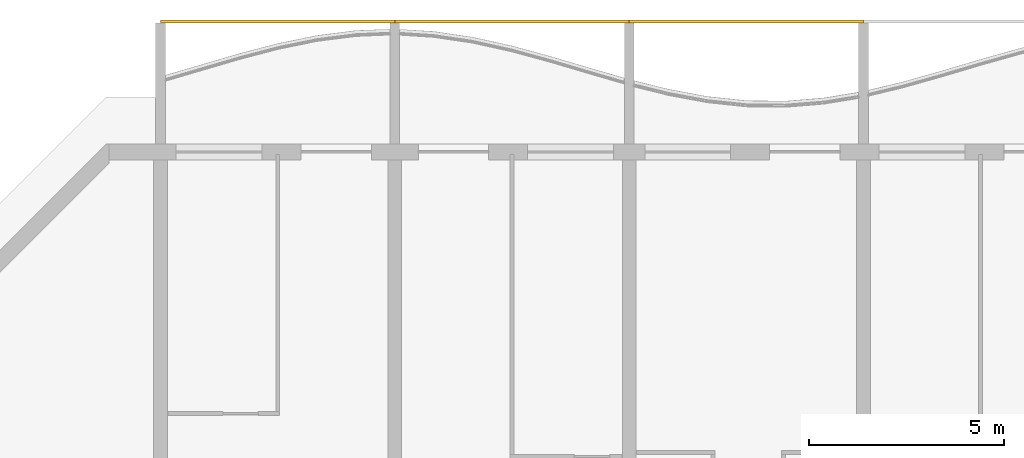
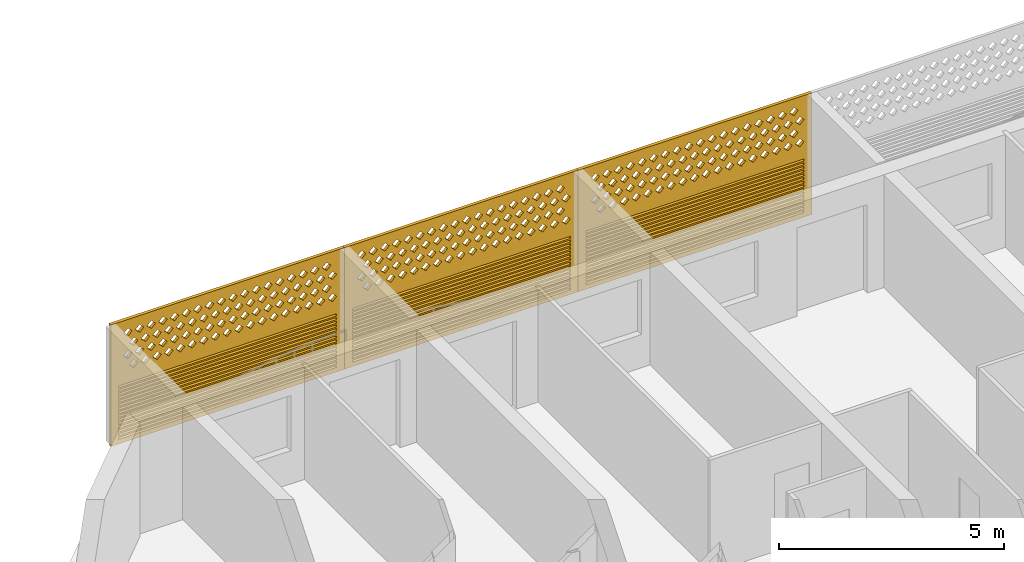
# One storey, part 20 of 28: 3 coverings.
"""IFC4 building model written with IfcOpenShell, lengths in metres."""

import ifcopenshell
import ifcopenshell.guid

model = None  # the IFC model being written
_history = None  # IfcOwnerHistory: only IFC2X3 demands one
_inside = {}  # id of a spatial element -> (the spatial element, [elements in it])
_under = {}  # id of a project, library or spatial element -> (it, [spatial elements below it])
_declared = {}  # id of a project -> (the project, [libraries it declares])
_typed = {}  # id of a type object -> (the type object, [elements of that type])
_made_of = {}  # id of a material, layer set ... -> (it, [elements and type objects made of it])


def new_model(schema):
    """Start an empty IFC model of exactly this schema.

    Asked for "IFC4X3", IfcOpenShell would pick the latest addendum, in which some entities
    have other attributes; the version numbers below select the first issue.
    IFC2X3 requires an IfcOwnerHistory on every rooted entity: one is made here for all.
    """
    global model, _history
    if schema == "IFC4X3":
        model = ifcopenshell.file(schema_version=(4, 3, 0, 0))
    else:
        model = ifcopenshell.file(schema=schema)
    _inside.clear()
    _under.clear()
    _declared.clear()
    _typed.clear()
    _made_of.clear()
    _history = None
    if model.schema == "IFC2X3":
        org = make("IfcOrganization", Name="unknown")
        user = make(
            "IfcPersonAndOrganization",
            ThePerson=make("IfcPerson", FamilyName="unknown"),
            TheOrganization=org,
        )
        app = make(
            "IfcApplication",
            ApplicationDeveloper=org,
            Version="unknown",
            ApplicationFullName="unknown",
            ApplicationIdentifier="unknown",
        )
        _history = make(
            "IfcOwnerHistory",
            OwningUser=user,
            OwningApplication=app,
            ChangeAction="ADDED",
            CreationDate=0,
        )
    return model


def make(cls, **values):
    """One entity of the class cls with the attributes given. An attribute that is None is left unset."""
    return model.create_entity(
        cls, **{name: value for name, value in values.items() if value is not None}
    )


def rooted(cls, **values):
    """An entity with a GlobalId (a new one), such as an element, a storey or a relation."""
    return make(cls, GlobalId=ifcopenshell.guid.new(), OwnerHistory=_history, **values)


def si_unit(unit_type, name, prefix=None):
    """IfcSIUnit, for example si_unit("LENGTHUNIT", "METRE", prefix="MILLI")."""
    return make("IfcSIUnit", UnitType=unit_type, Prefix=prefix, Name=name)


def assignment(units):
    """IfcUnitAssignment: the units of a project."""
    return None if units is None else make("IfcUnitAssignment", Units=units)


def point(xyz):
    """IfcCartesianPoint."""
    return None if xyz is None else make("IfcCartesianPoint", Coordinates=xyz)


def direction(xyz):
    """IfcDirection."""
    return None if xyz is None else make("IfcDirection", DirectionRatios=xyz)


def frame(location, z_axis=None, x_axis=None):
    """IfcAxis2Placement3D, a coordinate frame: its origin and axes. An axis left out is left unset."""
    return make(
        "IfcAxis2Placement3D",
        Location=point(location),
        Axis=direction(z_axis),
        RefDirection=direction(x_axis),
    )


def origin():
    """The frame at (0, 0, 0) with its axes left unset."""
    return frame((0.0, 0.0, 0.0))


def place(relative_to, where):
    """IfcLocalPlacement: puts the frame where relative to a parent placement (None: the world)."""
    return make(
        "IfcLocalPlacement", PlacementRelTo=relative_to, RelativePlacement=where
    )


def context(
    kind, dimensions, precision=None, world=None, true_north=None, identifier=None
):
    """IfcGeometricRepresentationContext, for example the 3D "Model" context."""
    return make(
        "IfcGeometricRepresentationContext",
        ContextIdentifier=identifier,
        ContextType=kind,
        CoordinateSpaceDimension=dimensions,
        Precision=precision,
        WorldCoordinateSystem=world,
        TrueNorth=true_north,
    )


def subcontext(parent, identifier, kind, view, scale=None):
    """IfcGeometricRepresentationSubContext, for example "Body" below "Model"."""
    return make(
        "IfcGeometricRepresentationSubContext",
        ContextIdentifier=identifier,
        ContextType=kind,
        ParentContext=parent,
        TargetScale=scale,
        TargetView=view,
    )


def project(units=None, contexts=None):
    """IfcProject with its units and contexts."""
    return rooted(
        "IfcProject",
        Name="project",
        RepresentationContexts=contexts,
        UnitsInContext=assignment(units),
    )


def spatial(cls, under=None, at=None, **own):
    """A site, building, storey or space (cls), placed at a placement, below another one or the project."""
    s = rooted(cls, ObjectPlacement=at, **own)
    if under is not None:
        _under.setdefault(under.id(), (under, []))[1].append(s)
    return s


def polyline(points):
    """IfcPolyline through the points."""
    return make("IfcPolyline", Points=[point(p) for p in points])


def outline(outer, holes=None, kind="AREA"):
    """IfcArbitraryClosedProfileDef: a profile drawn as a closed curve; with holes, ...WithVoids."""
    if holes is None:
        return make("IfcArbitraryClosedProfileDef", ProfileType=kind, OuterCurve=outer)
    return make(
        "IfcArbitraryProfileDefWithVoids",
        ProfileType=kind,
        OuterCurve=outer,
        InnerCurves=holes,
    )


def extrude(swept, where, along, depth):
    """IfcExtrudedAreaSolid: the profile swept, set in the frame where, extruded along a direction by depth."""
    return make(
        "IfcExtrudedAreaSolid",
        SweptArea=swept,
        Position=where,
        ExtrudedDirection=direction(along),
        Depth=depth,
    )


def shape(context_of_items, identifier, shape_type, items):
    """IfcShapeRepresentation: the items that make up one representation, for example the "Body"."""
    return make(
        "IfcShapeRepresentation",
        ContextOfItems=context_of_items,
        RepresentationIdentifier=identifier,
        RepresentationType=shape_type,
        Items=items,
    )


def source(mapping_origin, context_of_items, identifier, shape_type, items):
    """IfcRepresentationMap: a shape defined once, which mapped items show again and again."""
    return make(
        "IfcRepresentationMap",
        MappingOrigin=mapping_origin,
        MappedRepresentation=shape(context_of_items, identifier, shape_type, items),
    )


def transform(
    local_origin,
    x_axis=None,
    y_axis=None,
    z_axis=None,
    scale=None,
    scale2=None,
    scale3=None,
    uniform=True,
):
    """IfcCartesianTransformationOperator3D, or its non-uniform kind. x_axis, y_axis, z_axis: its Axis1, 2, 3."""
    if uniform:
        return make(
            "IfcCartesianTransformationOperator3D",
            Axis1=direction(x_axis),
            Axis2=direction(y_axis),
            LocalOrigin=point(local_origin),
            Scale=scale,
            Axis3=direction(z_axis),
        )
    return make(
        "IfcCartesianTransformationOperator3DnonUniform",
        Axis1=direction(x_axis),
        Axis2=direction(y_axis),
        LocalOrigin=point(local_origin),
        Scale=scale,
        Axis3=direction(z_axis),
        Scale2=scale2,
        Scale3=scale3,
    )


def mapped(mapping_source, mapping_target):
    """IfcMappedItem: shows the shape of a source again, moved by a transform."""
    return make(
        "IfcMappedItem", MappingSource=mapping_source, MappingTarget=mapping_target
    )


def material(Name=None, Category=None):
    """IfcMaterial."""
    return make("IfcMaterial", Name=Name, Category=Category)


def material_profile(
    of_material, cross_section, Name=None, Category=None, Priority=None
):
    """IfcMaterialProfile: a cross section and its material."""
    return make(
        "IfcMaterialProfile",
        Name=Name,
        Material=of_material,
        Profile=cross_section,
        Priority=Priority,
        Category=Category,
    )


def profile_set(profiles, Name=None, composite=None):
    """IfcMaterialProfileSet."""
    return make(
        "IfcMaterialProfileSet",
        Name=Name,
        MaterialProfiles=profiles,
        CompositeProfile=composite,
    )


def made_of(thing, what):
    """Note that an element or type object is made of a material, layer set ...; save() writes the relation."""
    if what is not None:
        _made_of.setdefault(what.id(), (what, []))[1].append(thing)
    return thing


def type_object(cls, material=None, **own):
    """A type object (cls), such as IfcWallType, which elements share."""
    return made_of(rooted(cls, **own), material)


def element(
    cls,
    number,
    at=None,
    inside=None,
    cuts=None,
    type_object=None,
    material=None,
    context=None,
    identifier="Body",
    shape_type=None,
    held_by="IfcProductDefinitionShape",
    body=None,
    shapes=None,
    **own,
):
    """One element of the class cls, such as IfcWall. Its Tag is "e" and its number.

    at: its placement. inside: the storey or other place that contains it. cuts: it is an
    opening in that element (IfcRelVoidsElement). A single representation is given by context,
    identifier, shape_type and body (its items); several are given by shapes. held_by: the class
    of the entity that holds the representations. save() writes the other relations.
    """
    e = rooted(cls, Tag="e%d" % number, ObjectPlacement=at, **own)
    if body is not None:
        shapes = [shape(context, identifier, shape_type, body)]
    if shapes is not None:
        e.Representation = make(held_by, Representations=shapes)
    if inside is not None:
        _inside.setdefault(inside.id(), (inside, []))[1].append(e)
    if cuts is not None:
        rooted(
            "IfcRelVoidsElement", RelatingBuildingElement=cuts, RelatedOpeningElement=e
        )
    if type_object is not None:
        _typed.setdefault(type_object.id(), (type_object, []))[1].append(e)
    return made_of(e, material)


def aggregate(whole, parts):
    """IfcRelAggregates: a whole, such as a stair, and the parts it consists of."""
    return rooted("IfcRelAggregates", RelatingObject=whole, RelatedObjects=parts)


def save(model, path):
    """Write the relations noted so far, then the file.

    IfcRelAggregates (storeys below a building ...), IfcRelContainedInSpatialStructure (elements
    in a storey), IfcRelDefinesByType, IfcRelAssociatesMaterial and IfcRelDeclares: one each for
    every whole, place, type object, material and project.
    """
    for whole, parts in _under.values():
        aggregate(whole, parts)
    for where, things in _inside.values():
        rooted(
            "IfcRelContainedInSpatialStructure",
            RelatedElements=things,
            RelatingStructure=where,
        )
    for kind, things in _typed.values():
        rooted("IfcRelDefinesByType", RelatedObjects=things, RelatingType=kind)
    for what, things in _made_of.values():
        rooted("IfcRelAssociatesMaterial", RelatedObjects=things, RelatingMaterial=what)
    for by, libraries in _declared.values():
        rooted("IfcRelDeclares", RelatingContext=by, RelatedDefinitions=libraries)
    model.write(path)


model = new_model("IFC4")

# Units and contexts
model_context = context("Model", 3, precision=1e-05, world=origin(), true_north=direction((0.0, 1.0)))
body_context = subcontext(model_context, "Body", "Model", "MODEL_VIEW")
ifc_project = project(units=[si_unit("LENGTHUNIT", "METRE"), si_unit("AREAUNIT", "SQUARE_METRE"), si_unit("VOLUMEUNIT", "CUBIC_METRE"), si_unit("PLANEANGLEUNIT", "RADIAN"), si_unit("MASSUNIT", "GRAM", prefix="KILO")], contexts=[model_context])

# Site, building, storey
site_placement = place(None, origin())
site = spatial("IfcSite", under=ifc_project, at=site_placement, CompositionType="ELEMENT")
building_placement = place(site_placement, origin())
building = spatial("IfcBuilding", under=site, at=building_placement, Name="Poui Terraces", CompositionType="ELEMENT")
storey_placement = place(building_placement, frame((0.0, 0.0, 72.89990234375)))
storey = spatial("IfcBuildingStorey", under=building, at=storey_placement, Name="L19", CompositionType="ELEMENT", Elevation=72.89990234375)

# Coverings
ifc_material = material(Name="Terracotta screen", Category="masonry")
ifc_material_profile = material_profile(ifc_material, outline(polyline([(-3.0, -1.64990234375), (3.0, -1.64990234375), (3.0, 1.64990234375), (-3.0, 1.64990234375), (-3.0, -1.64990234375)]), holes=[polyline([(-2.800048828125, 0.39990234375), (-2.68994140625, 0.2900390625), (-2.580078125, 0.39990234375), (-2.68994140625, 0.510009765625), (-2.800048828125, 0.39990234375)]), polyline([(-2.5, 0.39990234375), (-2.389892578125, 0.2900390625), (-2.280029296875, 0.39990234375), (-2.389892578125, 0.510009765625), (-2.5, 0.39990234375)]), polyline([(-2.199951171875, 0.39990234375), (-2.090087890625, 0.2900390625), (-1.97998046875, 0.39990234375), (-2.090087890625, 0.510009765625), (-2.199951171875, 0.39990234375)]), polyline([(-1.89990234375, 0.39990234375), (-1.7900390625, 0.2900390625), (-1.679931640625, 0.39990234375), (-1.7900390625, 0.510009765625), (-1.89990234375, 0.39990234375)]), polyline([(-1.60009765625, 0.39990234375), (-1.489990234375, 0.2900390625), (-1.3798828125, 0.39990234375), (-1.489990234375, 0.510009765625), (-1.60009765625, 0.39990234375)]), polyline([(-1.300048828125, 0.39990234375), (-1.18994140625, 0.2900390625), (-1.080078125, 0.39990234375), (-1.18994140625, 0.510009765625), (-1.300048828125, 0.39990234375)]), polyline([(-1.0, 0.39990234375), (-0.889892578125, 0.2900390625), (-0.780029296875, 0.39990234375), (-0.889892578125, 0.510009765625), (-1.0, 0.39990234375)]), polyline([(-0.699951171875, 0.39990234375), (-0.590087890625, 0.2900390625), (-0.47998046875, 0.39990234375), (-0.590087890625, 0.510009765625), (-0.699951171875, 0.39990234375)]), polyline([(-0.39990234375, 0.39990234375), (-0.2900390625, 0.2900390625), (-0.179931640625, 0.39990234375), (-0.2900390625, 0.510009765625), (-0.39990234375, 0.39990234375)]), polyline([(-0.10009765625, 0.39990234375), (0.010009765625, 0.2900390625), (0.1201171875, 0.39990234375), (0.010009765625, 0.510009765625), (-0.10009765625, 0.39990234375)]), polyline([(0.199951171875, 0.39990234375), (0.31005859375, 0.2900390625), (0.419921875, 0.39990234375), (0.31005859375, 0.510009765625), (0.199951171875, 0.39990234375)]), polyline([(0.5, 0.39990234375), (0.610107421875, 0.2900390625), (0.719970703125, 0.39990234375), (0.610107421875, 0.510009765625), (0.5, 0.39990234375)]), polyline([(0.800048828125, 0.39990234375), (0.909912109375, 0.2900390625), (1.02001953125, 0.39990234375), (0.909912109375, 0.510009765625), (0.800048828125, 0.39990234375)]), polyline([(1.10009765625, 0.39990234375), (1.2099609375, 0.2900390625), (1.320068359375, 0.39990234375), (1.2099609375, 0.510009765625), (1.10009765625, 0.39990234375)]), polyline([(1.39990234375, 0.39990234375), (1.510009765625, 0.2900390625), (1.6201171875, 0.39990234375), (1.510009765625, 0.510009765625), (1.39990234375, 0.39990234375)]), polyline([(1.699951171875, 0.39990234375), (1.81005859375, 0.2900390625), (1.919921875, 0.39990234375), (1.81005859375, 0.510009765625), (1.699951171875, 0.39990234375)]), polyline([(2.0, 0.39990234375), (2.110107421875, 0.2900390625), (2.219970703125, 0.39990234375), (2.110107421875, 0.510009765625), (2.0, 0.39990234375)]), polyline([(2.300048828125, 0.39990234375), (2.409912109375, 0.2900390625), (2.52001953125, 0.39990234375), (2.409912109375, 0.510009765625), (2.300048828125, 0.39990234375)]), polyline([(-2.64990234375, 0.699951171875), (-2.5400390625, 0.590087890625), (-2.429931640625, 0.699951171875), (-2.5400390625, 0.81005859375), (-2.64990234375, 0.699951171875)]), polyline([(-2.35009765625, 0.699951171875), (-2.239990234375, 0.590087890625), (-2.1298828125, 0.699951171875), (-2.239990234375, 0.81005859375), (-2.35009765625, 0.699951171875)]), polyline([(-2.050048828125, 0.699951171875), (-1.93994140625, 0.590087890625), (-1.830078125, 0.699951171875), (-1.93994140625, 0.81005859375), (-2.050048828125, 0.699951171875)]), polyline([(-1.75, 0.699951171875), (-1.639892578125, 0.590087890625), (-1.530029296875, 0.699951171875), (-1.639892578125, 0.81005859375), (-1.75, 0.699951171875)]), polyline([(-1.449951171875, 0.699951171875), (-1.340087890625, 0.590087890625), (-1.22998046875, 0.699951171875), (-1.340087890625, 0.81005859375), (-1.449951171875, 0.699951171875)]), polyline([(-1.14990234375, 0.699951171875), (-1.0400390625, 0.590087890625), (-0.929931640625, 0.699951171875), (-1.0400390625, 0.81005859375), (-1.14990234375, 0.699951171875)]), polyline([(-0.85009765625, 0.699951171875), (-0.739990234375, 0.590087890625), (-0.6298828125, 0.699951171875), (-0.739990234375, 0.81005859375), (-0.85009765625, 0.699951171875)]), polyline([(-0.550048828125, 0.699951171875), (-0.43994140625, 0.590087890625), (-0.330078125, 0.699951171875), (-0.43994140625, 0.81005859375), (-0.550048828125, 0.699951171875)]), polyline([(-0.25, 0.699951171875), (-0.139892578125, 0.590087890625), (-0.030029296875, 0.699951171875), (-0.139892578125, 0.81005859375), (-0.25, 0.699951171875)]), polyline([(0.050048828125, 0.699951171875), (0.159912109375, 0.590087890625), (0.27001953125, 0.699951171875), (0.159912109375, 0.81005859375), (0.050048828125, 0.699951171875)]), polyline([(0.35009765625, 0.699951171875), (0.4599609375, 0.590087890625), (0.570068359375, 0.699951171875), (0.4599609375, 0.81005859375), (0.35009765625, 0.699951171875)]), polyline([(0.64990234375, 0.699951171875), (0.760009765625, 0.590087890625), (0.8701171875, 0.699951171875), (0.760009765625, 0.81005859375), (0.64990234375, 0.699951171875)]), polyline([(0.949951171875, 0.699951171875), (1.06005859375, 0.590087890625), (1.169921875, 0.699951171875), (1.06005859375, 0.81005859375), (0.949951171875, 0.699951171875)]), polyline([(1.25, 0.699951171875), (1.360107421875, 0.590087890625), (1.469970703125, 0.699951171875), (1.360107421875, 0.81005859375), (1.25, 0.699951171875)]), polyline([(1.550048828125, 0.699951171875), (1.659912109375, 0.590087890625), (1.77001953125, 0.699951171875), (1.659912109375, 0.81005859375), (1.550048828125, 0.699951171875)]), polyline([(1.85009765625, 0.699951171875), (1.9599609375, 0.590087890625), (2.070068359375, 0.699951171875), (1.9599609375, 0.81005859375), (1.85009765625, 0.699951171875)]), polyline([(2.14990234375, 0.699951171875), (2.260009765625, 0.590087890625), (2.3701171875, 0.699951171875), (2.260009765625, 0.81005859375), (2.14990234375, 0.699951171875)]), polyline([(2.449951171875, 0.699951171875), (2.56005859375, 0.590087890625), (2.669921875, 0.699951171875), (2.56005859375, 0.81005859375), (2.449951171875, 0.699951171875)]), polyline([(-2.800048828125, 1.0), (-2.68994140625, 0.889892578125), (-2.580078125, 1.0), (-2.68994140625, 1.110107421875), (-2.800048828125, 1.0)]), polyline([(-2.5, 1.0), (-2.389892578125, 0.889892578125), (-2.280029296875, 1.0), (-2.389892578125, 1.110107421875), (-2.5, 1.0)]), polyline([(-2.199951171875, 1.0), (-2.090087890625, 0.889892578125), (-1.97998046875, 1.0), (-2.090087890625, 1.110107421875), (-2.199951171875, 1.0)]), polyline([(-1.89990234375, 1.0), (-1.7900390625, 0.889892578125), (-1.679931640625, 1.0), (-1.7900390625, 1.110107421875), (-1.89990234375, 1.0)]), polyline([(-1.60009765625, 1.0), (-1.489990234375, 0.889892578125), (-1.3798828125, 1.0), (-1.489990234375, 1.110107421875), (-1.60009765625, 1.0)]), polyline([(-1.300048828125, 1.0), (-1.18994140625, 0.889892578125), (-1.080078125, 1.0), (-1.18994140625, 1.110107421875), (-1.300048828125, 1.0)]), polyline([(-1.0, 1.0), (-0.889892578125, 0.889892578125), (-0.780029296875, 1.0), (-0.889892578125, 1.110107421875), (-1.0, 1.0)]), polyline([(-0.699951171875, 1.0), (-0.590087890625, 0.889892578125), (-0.47998046875, 1.0), (-0.590087890625, 1.110107421875), (-0.699951171875, 1.0)]), polyline([(-0.39990234375, 1.0), (-0.2900390625, 0.889892578125), (-0.179931640625, 1.0), (-0.2900390625, 1.110107421875), (-0.39990234375, 1.0)]), polyline([(-0.10009765625, 1.0), (0.010009765625, 0.889892578125), (0.1201171875, 1.0), (0.010009765625, 1.110107421875), (-0.10009765625, 1.0)]), polyline([(0.199951171875, 1.0), (0.31005859375, 0.889892578125), (0.419921875, 1.0), (0.31005859375, 1.110107421875), (0.199951171875, 1.0)]), polyline([(0.5, 1.0), (0.610107421875, 0.889892578125), (0.719970703125, 1.0), (0.610107421875, 1.110107421875), (0.5, 1.0)]), polyline([(0.800048828125, 1.0), (0.909912109375, 0.889892578125), (1.02001953125, 1.0), (0.909912109375, 1.110107421875), (0.800048828125, 1.0)]), polyline([(1.10009765625, 1.0), (1.2099609375, 0.889892578125), (1.320068359375, 1.0), (1.2099609375, 1.110107421875), (1.10009765625, 1.0)]), polyline([(1.39990234375, 1.0), (1.510009765625, 0.889892578125), (1.6201171875, 1.0), (1.510009765625, 1.110107421875), (1.39990234375, 1.0)]), polyline([(1.699951171875, 1.0), (1.81005859375, 0.889892578125), (1.919921875, 1.0), (1.81005859375, 1.110107421875), (1.699951171875, 1.0)]), polyline([(2.0, 1.0), (2.110107421875, 0.889892578125), (2.219970703125, 1.0), (2.110107421875, 1.110107421875), (2.0, 1.0)]), polyline([(2.300048828125, 1.0), (2.409912109375, 0.889892578125), (2.52001953125, 1.0), (2.409912109375, 1.110107421875), (2.300048828125, 1.0)]), polyline([(-2.64990234375, 1.300048828125), (-2.5400390625, 1.18994140625), (-2.429931640625, 1.300048828125), (-2.5400390625, 1.409912109375), (-2.64990234375, 1.300048828125)]), polyline([(-2.35009765625, 1.300048828125), (-2.239990234375, 1.18994140625), (-2.1298828125, 1.300048828125), (-2.239990234375, 1.409912109375), (-2.35009765625, 1.300048828125)]), polyline([(-2.050048828125, 1.300048828125), (-1.93994140625, 1.18994140625), (-1.830078125, 1.300048828125), (-1.93994140625, 1.409912109375), (-2.050048828125, 1.300048828125)]), polyline([(-1.75, 1.300048828125), (-1.639892578125, 1.18994140625), (-1.530029296875, 1.300048828125), (-1.639892578125, 1.409912109375), (-1.75, 1.300048828125)]), polyline([(-1.449951171875, 1.300048828125), (-1.340087890625, 1.18994140625), (-1.22998046875, 1.300048828125), (-1.340087890625, 1.409912109375), (-1.449951171875, 1.300048828125)]), polyline([(-1.14990234375, 1.300048828125), (-1.0400390625, 1.18994140625), (-0.929931640625, 1.300048828125), (-1.0400390625, 1.409912109375), (-1.14990234375, 1.300048828125)]), polyline([(-0.85009765625, 1.300048828125), (-0.739990234375, 1.18994140625), (-0.6298828125, 1.300048828125), (-0.739990234375, 1.409912109375), (-0.85009765625, 1.300048828125)]), polyline([(-0.550048828125, 1.300048828125), (-0.43994140625, 1.18994140625), (-0.330078125, 1.300048828125), (-0.43994140625, 1.409912109375), (-0.550048828125, 1.300048828125)]), polyline([(-0.25, 1.300048828125), (-0.139892578125, 1.18994140625), (-0.030029296875, 1.300048828125), (-0.139892578125, 1.409912109375), (-0.25, 1.300048828125)]), polyline([(0.050048828125, 1.300048828125), (0.159912109375, 1.18994140625), (0.27001953125, 1.300048828125), (0.159912109375, 1.409912109375), (0.050048828125, 1.300048828125)]), polyline([(0.35009765625, 1.300048828125), (0.4599609375, 1.18994140625), (0.570068359375, 1.300048828125), (0.4599609375, 1.409912109375), (0.35009765625, 1.300048828125)]), polyline([(0.64990234375, 1.300048828125), (0.760009765625, 1.18994140625), (0.8701171875, 1.300048828125), (0.760009765625, 1.409912109375), (0.64990234375, 1.300048828125)]), polyline([(0.949951171875, 1.300048828125), (1.06005859375, 1.18994140625), (1.169921875, 1.300048828125), (1.06005859375, 1.409912109375), (0.949951171875, 1.300048828125)]), polyline([(1.25, 1.300048828125), (1.360107421875, 1.18994140625), (1.469970703125, 1.300048828125), (1.360107421875, 1.409912109375), (1.25, 1.300048828125)]), polyline([(1.550048828125, 1.300048828125), (1.659912109375, 1.18994140625), (1.77001953125, 1.300048828125), (1.659912109375, 1.409912109375), (1.550048828125, 1.300048828125)]), polyline([(1.85009765625, 1.300048828125), (1.9599609375, 1.18994140625), (2.070068359375, 1.300048828125), (1.9599609375, 1.409912109375), (1.85009765625, 1.300048828125)]), polyline([(2.14990234375, 1.300048828125), (2.260009765625, 1.18994140625), (2.3701171875, 1.300048828125), (2.260009765625, 1.409912109375), (2.14990234375, 1.300048828125)]), polyline([(2.449951171875, 1.300048828125), (2.56005859375, 1.18994140625), (2.669921875, 1.300048828125), (2.56005859375, 1.409912109375), (2.449951171875, 1.300048828125)]), polyline([(-2.800048828125, -1.530029296875), (2.800048828125, -1.530029296875), (2.800048828125, -1.469970703125), (-2.800048828125, -1.469970703125), (-2.800048828125, -1.530029296875)]), polyline([(-2.800048828125, -1.429931640625), (2.800048828125, -1.429931640625), (2.800048828125, -1.3701171875), (-2.800048828125, -1.3701171875), (-2.800048828125, -1.429931640625)]), polyline([(-2.800048828125, -1.330078125), (2.800048828125, -1.330078125), (2.800048828125, -1.27001953125), (-2.800048828125, -1.27001953125), (-2.800048828125, -1.330078125)]), polyline([(-2.800048828125, -1.22998046875), (2.800048828125, -1.22998046875), (2.800048828125, -1.169921875), (-2.800048828125, -1.169921875), (-2.800048828125, -1.22998046875)]), polyline([(-2.800048828125, -1.1298828125), (2.800048828125, -1.1298828125), (2.800048828125, -1.070068359375), (-2.800048828125, -1.070068359375), (-2.800048828125, -1.1298828125)]), polyline([(-2.800048828125, -1.030029296875), (2.800048828125, -1.030029296875), (2.800048828125, -0.969970703125), (-2.800048828125, -0.969970703125), (-2.800048828125, -1.030029296875)]), polyline([(-2.800048828125, -0.929931640625), (2.800048828125, -0.929931640625), (2.800048828125, -0.8701171875), (-2.800048828125, -0.8701171875), (-2.800048828125, -0.929931640625)]), polyline([(-2.800048828125, -0.830078125), (2.800048828125, -0.830078125), (2.800048828125, -0.77001953125), (-2.800048828125, -0.77001953125), (-2.800048828125, -0.830078125)]), polyline([(-2.800048828125, -0.72998046875), (2.800048828125, -0.72998046875), (2.800048828125, -0.669921875), (-2.800048828125, -0.669921875), (-2.800048828125, -0.72998046875)]), polyline([(-2.800048828125, -0.6298828125), (2.800048828125, -0.6298828125), (2.800048828125, -0.570068359375), (-2.800048828125, -0.570068359375), (-2.800048828125, -0.6298828125)]), polyline([(-2.800048828125, -0.530029296875), (2.800048828125, -0.530029296875), (2.800048828125, -0.469970703125), (-2.800048828125, -0.469970703125), (-2.800048828125, -0.530029296875)]), polyline([(-2.800048828125, -0.429931640625), (2.800048828125, -0.429931640625), (2.800048828125, -0.3701171875), (-2.800048828125, -0.3701171875), (-2.800048828125, -0.429931640625)]), polyline([(-2.800048828125, -0.330078125), (2.800048828125, -0.330078125), (2.800048828125, -0.27001953125), (-2.800048828125, -0.27001953125), (-2.800048828125, -0.330078125)]), polyline([(-2.800048828125, -0.22998046875), (2.800048828125, -0.22998046875), (2.800048828125, -0.169921875), (-2.800048828125, -0.169921875), (-2.800048828125, -0.22998046875)]), polyline([(-2.800048828125, -0.1298828125), (2.800048828125, -0.1298828125), (2.800048828125, -0.070068359375), (-2.800048828125, -0.070068359375), (-2.800048828125, -0.1298828125)])]), Name="TERRACOTTA SCREEN AND JALOUSIE LOUVRE 6000X3300")
ifc_profile_set = profile_set([ifc_material_profile], Name="Terracotta screen")
covering_type = type_object("IfcCoveringType", Name="TERRACOTTA SCREEN AND JALOUSIE LOUVRE 6000X3300", PredefinedType="CLADDING", material=ifc_profile_set)
shared_shape = source(origin(), body_context, "Body", "SweptSolid", [
    extrude(outline(polyline([(-3.0, -1.64990234375), (3.0, -1.64990234375), (3.0, 1.64990234375), (-3.0, 1.64990234375), (-3.0, -1.64990234375)]), holes=[polyline([(-2.800048828125, 0.39990234375), (-2.68994140625, 0.2900390625), (-2.580078125, 0.39990234375), (-2.68994140625, 0.510009765625), (-2.800048828125, 0.39990234375)]), polyline([(-2.5, 0.39990234375), (-2.389892578125, 0.2900390625), (-2.280029296875, 0.39990234375), (-2.389892578125, 0.510009765625), (-2.5, 0.39990234375)]), polyline([(-2.199951171875, 0.39990234375), (-2.090087890625, 0.2900390625), (-1.97998046875, 0.39990234375), (-2.090087890625, 0.510009765625), (-2.199951171875, 0.39990234375)]), polyline([(-1.89990234375, 0.39990234375), (-1.7900390625, 0.2900390625), (-1.679931640625, 0.39990234375), (-1.7900390625, 0.510009765625), (-1.89990234375, 0.39990234375)]), polyline([(-1.60009765625, 0.39990234375), (-1.489990234375, 0.2900390625), (-1.3798828125, 0.39990234375), (-1.489990234375, 0.510009765625), (-1.60009765625, 0.39990234375)]), polyline([(-1.300048828125, 0.39990234375), (-1.18994140625, 0.2900390625), (-1.080078125, 0.39990234375), (-1.18994140625, 0.510009765625), (-1.300048828125, 0.39990234375)]), polyline([(-1.0, 0.39990234375), (-0.889892578125, 0.2900390625), (-0.780029296875, 0.39990234375), (-0.889892578125, 0.510009765625), (-1.0, 0.39990234375)]), polyline([(-0.699951171875, 0.39990234375), (-0.590087890625, 0.2900390625), (-0.47998046875, 0.39990234375), (-0.590087890625, 0.510009765625), (-0.699951171875, 0.39990234375)]), polyline([(-0.39990234375, 0.39990234375), (-0.2900390625, 0.2900390625), (-0.179931640625, 0.39990234375), (-0.2900390625, 0.510009765625), (-0.39990234375, 0.39990234375)]), polyline([(-0.10009765625, 0.39990234375), (0.010009765625, 0.2900390625), (0.1201171875, 0.39990234375), (0.010009765625, 0.510009765625), (-0.10009765625, 0.39990234375)]), polyline([(0.199951171875, 0.39990234375), (0.31005859375, 0.2900390625), (0.419921875, 0.39990234375), (0.31005859375, 0.510009765625), (0.199951171875, 0.39990234375)]), polyline([(0.5, 0.39990234375), (0.610107421875, 0.2900390625), (0.719970703125, 0.39990234375), (0.610107421875, 0.510009765625), (0.5, 0.39990234375)]), polyline([(0.800048828125, 0.39990234375), (0.909912109375, 0.2900390625), (1.02001953125, 0.39990234375), (0.909912109375, 0.510009765625), (0.800048828125, 0.39990234375)]), polyline([(1.10009765625, 0.39990234375), (1.2099609375, 0.2900390625), (1.320068359375, 0.39990234375), (1.2099609375, 0.510009765625), (1.10009765625, 0.39990234375)]), polyline([(1.39990234375, 0.39990234375), (1.510009765625, 0.2900390625), (1.6201171875, 0.39990234375), (1.510009765625, 0.510009765625), (1.39990234375, 0.39990234375)]), polyline([(1.699951171875, 0.39990234375), (1.81005859375, 0.2900390625), (1.919921875, 0.39990234375), (1.81005859375, 0.510009765625), (1.699951171875, 0.39990234375)]), polyline([(2.0, 0.39990234375), (2.110107421875, 0.2900390625), (2.219970703125, 0.39990234375), (2.110107421875, 0.510009765625), (2.0, 0.39990234375)]), polyline([(2.300048828125, 0.39990234375), (2.409912109375, 0.2900390625), (2.52001953125, 0.39990234375), (2.409912109375, 0.510009765625), (2.300048828125, 0.39990234375)]), polyline([(-2.64990234375, 0.699951171875), (-2.5400390625, 0.590087890625), (-2.429931640625, 0.699951171875), (-2.5400390625, 0.81005859375), (-2.64990234375, 0.699951171875)]), polyline([(-2.35009765625, 0.699951171875), (-2.239990234375, 0.590087890625), (-2.1298828125, 0.699951171875), (-2.239990234375, 0.81005859375), (-2.35009765625, 0.699951171875)]), polyline([(-2.050048828125, 0.699951171875), (-1.93994140625, 0.590087890625), (-1.830078125, 0.699951171875), (-1.93994140625, 0.81005859375), (-2.050048828125, 0.699951171875)]), polyline([(-1.75, 0.699951171875), (-1.639892578125, 0.590087890625), (-1.530029296875, 0.699951171875), (-1.639892578125, 0.81005859375), (-1.75, 0.699951171875)]), polyline([(-1.449951171875, 0.699951171875), (-1.340087890625, 0.590087890625), (-1.22998046875, 0.699951171875), (-1.340087890625, 0.81005859375), (-1.449951171875, 0.699951171875)]), polyline([(-1.14990234375, 0.699951171875), (-1.0400390625, 0.590087890625), (-0.929931640625, 0.699951171875), (-1.0400390625, 0.81005859375), (-1.14990234375, 0.699951171875)]), polyline([(-0.85009765625, 0.699951171875), (-0.739990234375, 0.590087890625), (-0.6298828125, 0.699951171875), (-0.739990234375, 0.81005859375), (-0.85009765625, 0.699951171875)]), polyline([(-0.550048828125, 0.699951171875), (-0.43994140625, 0.590087890625), (-0.330078125, 0.699951171875), (-0.43994140625, 0.81005859375), (-0.550048828125, 0.699951171875)]), polyline([(-0.25, 0.699951171875), (-0.139892578125, 0.590087890625), (-0.030029296875, 0.699951171875), (-0.139892578125, 0.81005859375), (-0.25, 0.699951171875)]), polyline([(0.050048828125, 0.699951171875), (0.159912109375, 0.590087890625), (0.27001953125, 0.699951171875), (0.159912109375, 0.81005859375), (0.050048828125, 0.699951171875)]), polyline([(0.35009765625, 0.699951171875), (0.4599609375, 0.590087890625), (0.570068359375, 0.699951171875), (0.4599609375, 0.81005859375), (0.35009765625, 0.699951171875)]), polyline([(0.64990234375, 0.699951171875), (0.760009765625, 0.590087890625), (0.8701171875, 0.699951171875), (0.760009765625, 0.81005859375), (0.64990234375, 0.699951171875)]), polyline([(0.949951171875, 0.699951171875), (1.06005859375, 0.590087890625), (1.169921875, 0.699951171875), (1.06005859375, 0.81005859375), (0.949951171875, 0.699951171875)]), polyline([(1.25, 0.699951171875), (1.360107421875, 0.590087890625), (1.469970703125, 0.699951171875), (1.360107421875, 0.81005859375), (1.25, 0.699951171875)]), polyline([(1.550048828125, 0.699951171875), (1.659912109375, 0.590087890625), (1.77001953125, 0.699951171875), (1.659912109375, 0.81005859375), (1.550048828125, 0.699951171875)]), polyline([(1.85009765625, 0.699951171875), (1.9599609375, 0.590087890625), (2.070068359375, 0.699951171875), (1.9599609375, 0.81005859375), (1.85009765625, 0.699951171875)]), polyline([(2.14990234375, 0.699951171875), (2.260009765625, 0.590087890625), (2.3701171875, 0.699951171875), (2.260009765625, 0.81005859375), (2.14990234375, 0.699951171875)]), polyline([(2.449951171875, 0.699951171875), (2.56005859375, 0.590087890625), (2.669921875, 0.699951171875), (2.56005859375, 0.81005859375), (2.449951171875, 0.699951171875)]), polyline([(-2.800048828125, 1.0), (-2.68994140625, 0.889892578125), (-2.580078125, 1.0), (-2.68994140625, 1.110107421875), (-2.800048828125, 1.0)]), polyline([(-2.5, 1.0), (-2.389892578125, 0.889892578125), (-2.280029296875, 1.0), (-2.389892578125, 1.110107421875), (-2.5, 1.0)]), polyline([(-2.199951171875, 1.0), (-2.090087890625, 0.889892578125), (-1.97998046875, 1.0), (-2.090087890625, 1.110107421875), (-2.199951171875, 1.0)]), polyline([(-1.89990234375, 1.0), (-1.7900390625, 0.889892578125), (-1.679931640625, 1.0), (-1.7900390625, 1.110107421875), (-1.89990234375, 1.0)]), polyline([(-1.60009765625, 1.0), (-1.489990234375, 0.889892578125), (-1.3798828125, 1.0), (-1.489990234375, 1.110107421875), (-1.60009765625, 1.0)]), polyline([(-1.300048828125, 1.0), (-1.18994140625, 0.889892578125), (-1.080078125, 1.0), (-1.18994140625, 1.110107421875), (-1.300048828125, 1.0)]), polyline([(-1.0, 1.0), (-0.889892578125, 0.889892578125), (-0.780029296875, 1.0), (-0.889892578125, 1.110107421875), (-1.0, 1.0)]), polyline([(-0.699951171875, 1.0), (-0.590087890625, 0.889892578125), (-0.47998046875, 1.0), (-0.590087890625, 1.110107421875), (-0.699951171875, 1.0)]), polyline([(-0.39990234375, 1.0), (-0.2900390625, 0.889892578125), (-0.179931640625, 1.0), (-0.2900390625, 1.110107421875), (-0.39990234375, 1.0)]), polyline([(-0.10009765625, 1.0), (0.010009765625, 0.889892578125), (0.1201171875, 1.0), (0.010009765625, 1.110107421875), (-0.10009765625, 1.0)]), polyline([(0.199951171875, 1.0), (0.31005859375, 0.889892578125), (0.419921875, 1.0), (0.31005859375, 1.110107421875), (0.199951171875, 1.0)]), polyline([(0.5, 1.0), (0.610107421875, 0.889892578125), (0.719970703125, 1.0), (0.610107421875, 1.110107421875), (0.5, 1.0)]), polyline([(0.800048828125, 1.0), (0.909912109375, 0.889892578125), (1.02001953125, 1.0), (0.909912109375, 1.110107421875), (0.800048828125, 1.0)]), polyline([(1.10009765625, 1.0), (1.2099609375, 0.889892578125), (1.320068359375, 1.0), (1.2099609375, 1.110107421875), (1.10009765625, 1.0)]), polyline([(1.39990234375, 1.0), (1.510009765625, 0.889892578125), (1.6201171875, 1.0), (1.510009765625, 1.110107421875), (1.39990234375, 1.0)]), polyline([(1.699951171875, 1.0), (1.81005859375, 0.889892578125), (1.919921875, 1.0), (1.81005859375, 1.110107421875), (1.699951171875, 1.0)]), polyline([(2.0, 1.0), (2.110107421875, 0.889892578125), (2.219970703125, 1.0), (2.110107421875, 1.110107421875), (2.0, 1.0)]), polyline([(2.300048828125, 1.0), (2.409912109375, 0.889892578125), (2.52001953125, 1.0), (2.409912109375, 1.110107421875), (2.300048828125, 1.0)]), polyline([(-2.64990234375, 1.300048828125), (-2.5400390625, 1.18994140625), (-2.429931640625, 1.300048828125), (-2.5400390625, 1.409912109375), (-2.64990234375, 1.300048828125)]), polyline([(-2.35009765625, 1.300048828125), (-2.239990234375, 1.18994140625), (-2.1298828125, 1.300048828125), (-2.239990234375, 1.409912109375), (-2.35009765625, 1.300048828125)]), polyline([(-2.050048828125, 1.300048828125), (-1.93994140625, 1.18994140625), (-1.830078125, 1.300048828125), (-1.93994140625, 1.409912109375), (-2.050048828125, 1.300048828125)]), polyline([(-1.75, 1.300048828125), (-1.639892578125, 1.18994140625), (-1.530029296875, 1.300048828125), (-1.639892578125, 1.409912109375), (-1.75, 1.300048828125)]), polyline([(-1.449951171875, 1.300048828125), (-1.340087890625, 1.18994140625), (-1.22998046875, 1.300048828125), (-1.340087890625, 1.409912109375), (-1.449951171875, 1.300048828125)]), polyline([(-1.14990234375, 1.300048828125), (-1.0400390625, 1.18994140625), (-0.929931640625, 1.300048828125), (-1.0400390625, 1.409912109375), (-1.14990234375, 1.300048828125)]), polyline([(-0.85009765625, 1.300048828125), (-0.739990234375, 1.18994140625), (-0.6298828125, 1.300048828125), (-0.739990234375, 1.409912109375), (-0.85009765625, 1.300048828125)]), polyline([(-0.550048828125, 1.300048828125), (-0.43994140625, 1.18994140625), (-0.330078125, 1.300048828125), (-0.43994140625, 1.409912109375), (-0.550048828125, 1.300048828125)]), polyline([(-0.25, 1.300048828125), (-0.139892578125, 1.18994140625), (-0.030029296875, 1.300048828125), (-0.139892578125, 1.409912109375), (-0.25, 1.300048828125)]), polyline([(0.050048828125, 1.300048828125), (0.159912109375, 1.18994140625), (0.27001953125, 1.300048828125), (0.159912109375, 1.409912109375), (0.050048828125, 1.300048828125)]), polyline([(0.35009765625, 1.300048828125), (0.4599609375, 1.18994140625), (0.570068359375, 1.300048828125), (0.4599609375, 1.409912109375), (0.35009765625, 1.300048828125)]), polyline([(0.64990234375, 1.300048828125), (0.760009765625, 1.18994140625), (0.8701171875, 1.300048828125), (0.760009765625, 1.409912109375), (0.64990234375, 1.300048828125)]), polyline([(0.949951171875, 1.300048828125), (1.06005859375, 1.18994140625), (1.169921875, 1.300048828125), (1.06005859375, 1.409912109375), (0.949951171875, 1.300048828125)]), polyline([(1.25, 1.300048828125), (1.360107421875, 1.18994140625), (1.469970703125, 1.300048828125), (1.360107421875, 1.409912109375), (1.25, 1.300048828125)]), polyline([(1.550048828125, 1.300048828125), (1.659912109375, 1.18994140625), (1.77001953125, 1.300048828125), (1.659912109375, 1.409912109375), (1.550048828125, 1.300048828125)]), polyline([(1.85009765625, 1.300048828125), (1.9599609375, 1.18994140625), (2.070068359375, 1.300048828125), (1.9599609375, 1.409912109375), (1.85009765625, 1.300048828125)]), polyline([(2.14990234375, 1.300048828125), (2.260009765625, 1.18994140625), (2.3701171875, 1.300048828125), (2.260009765625, 1.409912109375), (2.14990234375, 1.300048828125)]), polyline([(2.449951171875, 1.300048828125), (2.56005859375, 1.18994140625), (2.669921875, 1.300048828125), (2.56005859375, 1.409912109375), (2.449951171875, 1.300048828125)]), polyline([(-2.800048828125, -1.530029296875), (2.800048828125, -1.530029296875), (2.800048828125, -1.469970703125), (-2.800048828125, -1.469970703125), (-2.800048828125, -1.530029296875)]), polyline([(-2.800048828125, -1.429931640625), (2.800048828125, -1.429931640625), (2.800048828125, -1.3701171875), (-2.800048828125, -1.3701171875), (-2.800048828125, -1.429931640625)]), polyline([(-2.800048828125, -1.330078125), (2.800048828125, -1.330078125), (2.800048828125, -1.27001953125), (-2.800048828125, -1.27001953125), (-2.800048828125, -1.330078125)]), polyline([(-2.800048828125, -1.22998046875), (2.800048828125, -1.22998046875), (2.800048828125, -1.169921875), (-2.800048828125, -1.169921875), (-2.800048828125, -1.22998046875)]), polyline([(-2.800048828125, -1.1298828125), (2.800048828125, -1.1298828125), (2.800048828125, -1.070068359375), (-2.800048828125, -1.070068359375), (-2.800048828125, -1.1298828125)]), polyline([(-2.800048828125, -1.030029296875), (2.800048828125, -1.030029296875), (2.800048828125, -0.969970703125), (-2.800048828125, -0.969970703125), (-2.800048828125, -1.030029296875)]), polyline([(-2.800048828125, -0.929931640625), (2.800048828125, -0.929931640625), (2.800048828125, -0.8701171875), (-2.800048828125, -0.8701171875), (-2.800048828125, -0.929931640625)]), polyline([(-2.800048828125, -0.830078125), (2.800048828125, -0.830078125), (2.800048828125, -0.77001953125), (-2.800048828125, -0.77001953125), (-2.800048828125, -0.830078125)]), polyline([(-2.800048828125, -0.72998046875), (2.800048828125, -0.72998046875), (2.800048828125, -0.669921875), (-2.800048828125, -0.669921875), (-2.800048828125, -0.72998046875)]), polyline([(-2.800048828125, -0.6298828125), (2.800048828125, -0.6298828125), (2.800048828125, -0.570068359375), (-2.800048828125, -0.570068359375), (-2.800048828125, -0.6298828125)]), polyline([(-2.800048828125, -0.530029296875), (2.800048828125, -0.530029296875), (2.800048828125, -0.469970703125), (-2.800048828125, -0.469970703125), (-2.800048828125, -0.530029296875)]), polyline([(-2.800048828125, -0.429931640625), (2.800048828125, -0.429931640625), (2.800048828125, -0.3701171875), (-2.800048828125, -0.3701171875), (-2.800048828125, -0.429931640625)]), polyline([(-2.800048828125, -0.330078125), (2.800048828125, -0.330078125), (2.800048828125, -0.27001953125), (-2.800048828125, -0.27001953125), (-2.800048828125, -0.330078125)]), polyline([(-2.800048828125, -0.22998046875), (2.800048828125, -0.22998046875), (2.800048828125, -0.169921875), (-2.800048828125, -0.169921875), (-2.800048828125, -0.22998046875)]), polyline([(-2.800048828125, -0.1298828125), (2.800048828125, -0.1298828125), (2.800048828125, -0.070068359375), (-2.800048828125, -0.070068359375), (-2.800048828125, -0.1298828125)])]), origin(), (0.0, 0.0, 1.0), 0.080078125),
])
for number, where, z_axis, x_axis, name in (
    (1, (15.0, 46.89990234375, 1.4501953125), (0.0, 1.0, 0.0), (-1.0, 0.0, 0.0), "SOLAR SCREEN AND JALOUSIE LOUVRE"),
    (2, (21.0, 46.89990234375, 1.4501953125), (0.0, 1.0, 0.0), (-1.0, 0.0, 0.0), "SOLAR SCREEN AND JALOUSIE LOUVRE"),
    (3, (27.0, 46.89990234375, 1.4501953125), (0.0, 1.0, 0.0), (-1.0, 0.0, 0.0), "SOLAR SCREEN AND JALOUSIE LOUVRE"),
):
    element("IfcCovering", number, at=place(storey_placement, frame(where, z_axis=z_axis, x_axis=x_axis)), inside=storey, type_object=covering_type, Name=name, PredefinedType="CLADDING", context=body_context, shape_type="MappedRepresentation", body=[
        mapped(shared_shape, transform((0.0, 0.0, 0.0))),
    ])

save(model, "model.ifc")
